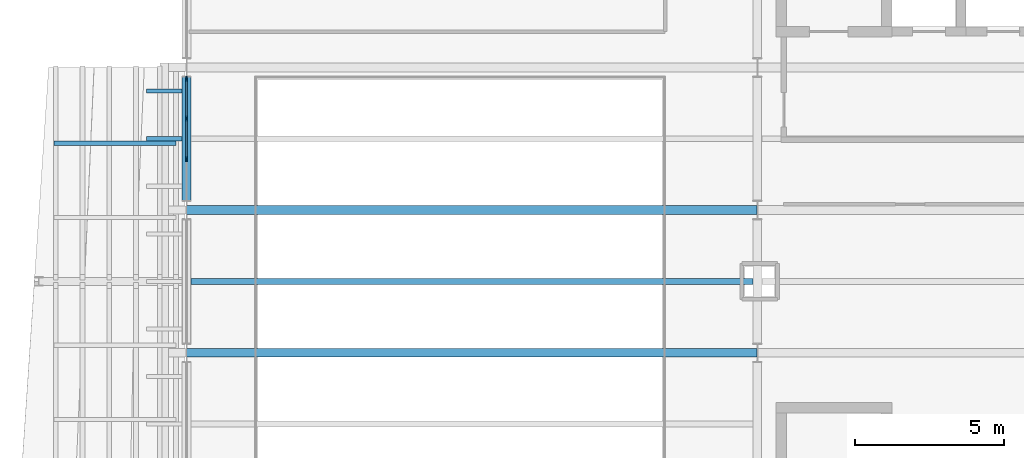
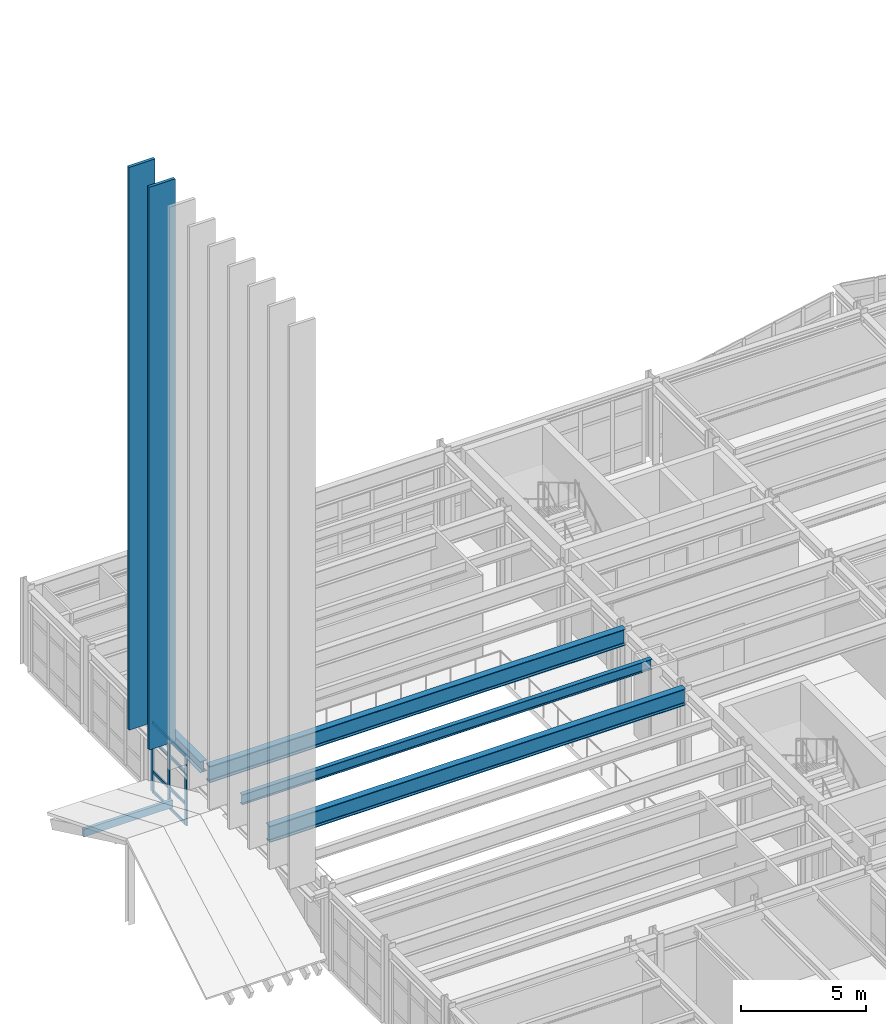
# One storey, part 43 of 99: 14 members, 4 beams, 1 element without a shape of its own.
"""IFC4 building model written with IfcOpenShell, lengths in metres."""

from ifc_helpers import new_model, si_unit, direction, frame, origin, origin_2d, place, context, subcontext, project, spatial, rectangle, i_section, extrude, material, layer, layer_set, material_profile, profile_set, type_object, element, aggregate, save


model = new_model("IFC4")

# Units and contexts
model_context = context("Model", 3, precision=1e-05, world=origin(), true_north=direction((0.0, 1.0)))
body_context = subcontext(model_context, "Body", "Model", "MODEL_VIEW")
ifc_project = project(units=[si_unit("LENGTHUNIT", "METRE"), si_unit("AREAUNIT", "SQUARE_METRE"), si_unit("VOLUMEUNIT", "CUBIC_METRE"), si_unit("PLANEANGLEUNIT", "RADIAN"), si_unit("MASSUNIT", "GRAM", prefix="KILO")], contexts=[model_context])

# Site, building, storey
site_placement = place(None, origin())
site = spatial("IfcSite", under=ifc_project, at=site_placement, CompositionType="ELEMENT")
building_placement = place(site_placement, origin())
building = spatial("IfcBuilding", under=site, at=building_placement, Name="Nordkorset Police Headquarters", CompositionType="ELEMENT")
storey_placement = place(building_placement, frame((0.0, 0.0, 5.25)))
storey = spatial("IfcBuildingStorey", under=building, at=storey_placement, Name="L01", CompositionType="ELEMENT", Elevation=5.25)

# Beam
ifc_material_1 = material(Name="Steel S355J2", Category="steel")
ifc_material_profile_1 = material_profile(ifc_material_1, i_section(OverallWidth=0.199951171875, OverallDepth=0.5, WebThickness=0.01025390625, FlangeThickness=0.01611328125, FilletRadius=0.02099609375, at=origin_2d()), Name="IPE 500")
ifc_profile_set_1 = profile_set([ifc_material_profile_1], Name="Steel S355J2")
beam_type_1 = type_object("IfcBeamType", Name="Beam_IPE_500", PredefinedType="BEAM", material=ifc_profile_set_1)
beam_1_placement = place(storey_placement, frame((0.14990234375, 100.0, 3.7099609375), z_axis=(1.0, 0.0, 0.0), x_axis=(0.0, 1.0, 0.0)))
element("IfcBeam", 1, at=beam_1_placement, inside=storey, type_object=beam_type_1, Name="Composite Floor Beam V1 L01 0-3-1", PredefinedType="BEAM", context=body_context, shape_type="SweptSolid", body=[
    extrude(i_section(OverallWidth=0.199951171875, OverallDepth=0.5, WebThickness=0.01025390625, FlangeThickness=0.01611328125, FilletRadius=0.02099609375, at=origin_2d()), origin(), (0.0, 0.0, 1.0), 18.900146484375),
])

# Curtain wall, members
ifc_material_2 = material(Name="Aluminium alloy AW-6060", Category="aluminium")
ifc_layer = layer(ifc_material_2, 0.179931640625, Name="Aluminium alloy AW-6060")
ifc_layer_set = layer_set([ifc_layer], Name="Aluminium alloy AW-6060")
curtain_wall_type = type_object("IfcCurtainWallType", Name="CW_Unit_408x340", PredefinedType="USERDEFINED", material=ifc_layer_set)
curtain_wall_placement = place(storey_placement, origin())
curtain_wall = element("IfcCurtainWall", 2, at=curtain_wall_placement, inside=storey, type_object=curtain_wall_type, Name="Unitised Curtain Wall L01 V1W-4", ObjectType="UNITISED CURTAIN WALL", PredefinedType="USERDEFINED")
ifc_material_3 = material(Name="Aluminium alloy AW-6060", Category="aluminium")
ifc_material_profile_2 = material_profile(ifc_material_3, rectangle(XDim=0.06494140625, YDim=0.179931640625, at=origin_2d()), Name="ALU MULL 65x180")
ifc_profile_set_2 = profile_set([ifc_material_profile_2], Name="Aluminium alloy AW-6060")
member_type_1 = type_object("IfcMemberType", Name="CW_Mullion_65x180", PredefinedType="MULLION", material=ifc_profile_set_2)
member_1_placement = place(storey_placement, frame((0.0, 104.1201171875, 0.0), z_axis=(0.0, 0.0, 1.0), x_axis=(-1.0, 0.0, 0.0)))
member_1 = element("IfcMember", 3, at=member_1_placement, type_object=member_type_1, Name="CW-75 mullion 2", PredefinedType="MULLION", context=body_context, shape_type="SweptSolid", body=[
    extrude(rectangle(XDim=0.06494140625, YDim=0.179931640625, at=origin_2d()), origin(), (0.0, 0.0, 1.0), 3.39990234375),
])
member_2_placement = place(storey_placement, frame((0.0, 105.47998046875, 0.0), z_axis=(0.0, 0.0, 1.0), x_axis=(-1.0, 0.0, 0.0)))
member_2 = element("IfcMember", 4, at=member_2_placement, type_object=member_type_1, Name="CW-75 mullion 3", PredefinedType="MULLION", context=body_context, shape_type="SweptSolid", body=[
    extrude(rectangle(XDim=0.06494140625, YDim=0.179931640625, at=origin_2d()), origin(), (0.0, 0.0, 1.0), 3.39990234375),
])
member_3_placement = place(storey_placement, frame((0.0, 106.8076171875, 0.0), z_axis=(0.0, 0.0, 1.0), x_axis=(-1.0, 0.0, 0.0)))
member_3 = element("IfcMember", 5, at=member_3_placement, type_object=member_type_1, Name="CW-75 mullion 4", PredefinedType="MULLION", context=body_context, shape_type="SweptSolid", body=[
    extrude(rectangle(XDim=0.06494140625, YDim=0.179931640625, at=origin_2d()), origin(), (0.0, 0.0, 1.0), 3.39990234375),
])
ifc_material_4 = material(Name="Aluminium alloy AW-6060", Category="aluminium")
ifc_material_profile_3 = material_profile(ifc_material_4, rectangle(XDim=0.06494140625, YDim=0.139892578125, at=origin_2d()), Name="ALU TRAN 65x140")
ifc_profile_set_3 = profile_set([ifc_material_profile_3], Name="Aluminium alloy AW-6060")
member_type_2 = type_object("IfcMemberType", Name="CW_Transom_65x140", PredefinedType="USERDEFINED", material=ifc_profile_set_3)
member_4_placement = place(storey_placement, frame((0.0, 104.152587890625, 0.032470703125), z_axis=(0.0, 1.0, 0.0), x_axis=(-1.0, 0.0, 0.0)))
member_4 = element("IfcMember", 6, at=member_4_placement, type_object=member_type_2, Name="CW-75 transom 2.1", ObjectType="TRANSOM", PredefinedType="USERDEFINED", context=body_context, shape_type="SweptSolid", body=[
    extrude(rectangle(XDim=0.06494140625, YDim=0.139892578125, at=origin_2d()), origin(), (0.0, 0.0, 1.0), 1.294921875),
])
member_5_placement = place(storey_placement, frame((0.0, 104.152587890625, 1.0), z_axis=(0.0, 1.0, 0.0), x_axis=(-1.0, 0.0, 0.0)))
member_5 = element("IfcMember", 7, at=member_5_placement, type_object=member_type_2, Name="CW-75 transom 2.2", ObjectType="TRANSOM", PredefinedType="USERDEFINED", context=body_context, shape_type="SweptSolid", body=[
    extrude(rectangle(XDim=0.06494140625, YDim=0.139892578125, at=origin_2d()), origin(), (0.0, 0.0, 1.0), 1.294921875),
])
member_6_placement = place(storey_placement, frame((0.0, 104.152587890625, 2.550048828125), z_axis=(0.0, 1.0, 0.0), x_axis=(-1.0, 0.0, 0.0)))
member_6 = element("IfcMember", 8, at=member_6_placement, type_object=member_type_2, Name="CW-75 transom 2.3", ObjectType="TRANSOM", PredefinedType="USERDEFINED", context=body_context, shape_type="SweptSolid", body=[
    extrude(rectangle(XDim=0.06494140625, YDim=0.139892578125, at=origin_2d()), origin(), (0.0, 0.0, 1.0), 1.294921875),
])
member_7_placement = place(storey_placement, frame((0.0, 104.152587890625, 3.367431640625), z_axis=(0.0, 1.0, 0.0), x_axis=(-1.0, 0.0, 0.0)))
member_7 = element("IfcMember", 9, at=member_7_placement, type_object=member_type_2, Name="CW-75 transom 2.4", ObjectType="TRANSOM", PredefinedType="USERDEFINED", context=body_context, shape_type="SweptSolid", body=[
    extrude(rectangle(XDim=0.06494140625, YDim=0.139892578125, at=origin_2d()), origin(), (0.0, 0.0, 1.0), 1.294921875),
])
member_8_placement = place(storey_placement, frame((0.0, 105.512451171875, 0.032470703125), z_axis=(0.0, 1.0, 0.0), x_axis=(-1.0, 0.0, 0.0)))
member_8 = element("IfcMember", 10, at=member_8_placement, type_object=member_type_2, Name="CW-75 transom 3.1", ObjectType="TRANSOM", PredefinedType="USERDEFINED", context=body_context, shape_type="SweptSolid", body=[
    extrude(rectangle(XDim=0.06494140625, YDim=0.139892578125, at=origin_2d()), origin(), (0.0, 0.0, 1.0), 1.262451171875),
])
member_9_placement = place(storey_placement, frame((0.0, 105.512451171875, 1.0), z_axis=(0.0, 1.0, 0.0), x_axis=(-1.0, 0.0, 0.0)))
member_9 = element("IfcMember", 11, at=member_9_placement, type_object=member_type_2, Name="CW-75 transom 3.2", ObjectType="TRANSOM", PredefinedType="USERDEFINED", context=body_context, shape_type="SweptSolid", body=[
    extrude(rectangle(XDim=0.06494140625, YDim=0.139892578125, at=origin_2d()), origin(), (0.0, 0.0, 1.0), 1.262451171875),
])
member_10_placement = place(storey_placement, frame((0.0, 105.512451171875, 2.550048828125), z_axis=(0.0, 1.0, 0.0), x_axis=(-1.0, 0.0, 0.0)))
member_10 = element("IfcMember", 12, at=member_10_placement, type_object=member_type_2, Name="CW-75 transom 3.3", ObjectType="TRANSOM", PredefinedType="USERDEFINED", context=body_context, shape_type="SweptSolid", body=[
    extrude(rectangle(XDim=0.06494140625, YDim=0.139892578125, at=origin_2d()), origin(), (0.0, 0.0, 1.0), 1.262451171875),
])
member_11_placement = place(storey_placement, frame((0.0, 105.512451171875, 3.367431640625), z_axis=(0.0, 1.0, 0.0), x_axis=(-1.0, 0.0, 0.0)))
member_11 = element("IfcMember", 13, at=member_11_placement, type_object=member_type_2, Name="CW-75 transom 3.4", ObjectType="TRANSOM", PredefinedType="USERDEFINED", context=body_context, shape_type="SweptSolid", body=[
    extrude(rectangle(XDim=0.06494140625, YDim=0.139892578125, at=origin_2d()), origin(), (0.0, 0.0, 1.0), 1.262451171875),
])
aggregate(curtain_wall, [member_1, member_2, member_3, member_4, member_5, member_6, member_7, member_8, member_9, member_10, member_11])

# Beams
ifc_material_5 = material(Name="Steel S355J2", Category="steel")
ifc_material_profile_4 = material_profile(ifc_material_5, i_section(OverallWidth=0.300048828125, OverallDepth=0.5400390625, WebThickness=0.012451171875, FlangeThickness=0.02392578125, FilletRadius=0.027099609375, at=origin_2d()), Name="HEA 550")
ifc_profile_set_4 = profile_set([ifc_material_profile_4], Name="Steel S355J2")
beam_type_2 = type_object("IfcBeamType", Name="Girder_HEA_550", PredefinedType="USERDEFINED", material=ifc_profile_set_4)
beam_2_placement = place(storey_placement, frame((0.0, 102.72509765625, 3.68994140625), z_axis=(0.0, 1.0, 0.0), x_axis=(-1.0, 0.0, 0.0)))
element("IfcBeam", 14, at=beam_2_placement, inside=storey, type_object=beam_type_2, Name="Girder V1 L01 GY-0-4", ObjectType="GIRDER", PredefinedType="USERDEFINED", context=body_context, shape_type="SweptSolid", body=[
    extrude(i_section(OverallWidth=0.300048828125, OverallDepth=0.5400390625, WebThickness=0.012451171875, FlangeThickness=0.02392578125, FilletRadius=0.027099609375, at=origin_2d()), origin(), (0.0, 0.0, 1.0), 4.14990234375),
])
ifc_material_6 = material(Name="Steel S355J2", Category="steel")
ifc_material_profile_5 = material_profile(ifc_material_6, i_section(OverallWidth=0.300048828125, OverallDepth=0.800048828125, WebThickness=0.017578125, FlangeThickness=0.032958984375, FilletRadius=0.030029296875, at=origin_2d()), Name="HEB 800")
ifc_profile_set_5 = profile_set([ifc_material_profile_5], Name="Steel S355J2")
beam_type_3 = type_object("IfcBeamType", Name="Girder_HEB_800", PredefinedType="USERDEFINED", material=ifc_profile_set_5)
for number, where, z_axis, x_axis, name in (
    (15, (0.008056640625, 97.60009765625, 3.56005859375), (1.0, 0.0, 0.0), (0.0, 1.0, 0.0), "Girder V1 L01 GX-3-0"),
    (16, (0.008056640625, 102.39990234375, 3.56005859375), (1.0, 0.0, 0.0), (0.0, 1.0, 0.0), "Girder V1 L01 GX-4-0"),
):
    element("IfcBeam", number, at=place(storey_placement, frame(where, z_axis=z_axis, x_axis=x_axis)), inside=storey, type_object=beam_type_3, Name=name, ObjectType="GIRDER", PredefinedType="USERDEFINED", context=body_context, shape_type="SweptSolid", body=[
        extrude(i_section(OverallWidth=0.300048828125, OverallDepth=0.800048828125, WebThickness=0.017578125, FlangeThickness=0.032958984375, FilletRadius=0.030029296875, at=origin_2d()), origin(), (0.0, 0.0, 1.0), 19.183837890625),
    ])

# Members
ifc_material_7 = material(Name="Glulam GL30c", Category="wood")
ifc_material_profile_6 = material_profile(ifc_material_7, rectangle(XDim=0.139892578125, YDim=1.199951171875, at=origin_2d()), Name="GL30C FIN 140x1200")
ifc_profile_set_6 = profile_set([ifc_material_profile_6], Name="Glulam GL30c")
member_type_3 = type_object("IfcMemberType", Name="Member_GlulamFin_140x1200", PredefinedType="USERDEFINED", material=ifc_profile_set_6)
for number, where, z_axis, x_axis, name in (
    (17, (-0.75, 104.800048828125, 3.735107421875), (0.0, 0.0, 1.0), (0.0, 1.0, 0.0), "Vertical Glulam Timber Fin West 014"),
    (18, (-0.75, 106.39990234375, 3.735107421875), (0.0, 0.0, 1.0), (0.0, 1.0, 0.0), "Vertical Glulam Timber Fin West 015"),
):
    element("IfcMember", number, at=place(storey_placement, frame(where, z_axis=z_axis, x_axis=x_axis)), inside=storey, type_object=member_type_3, Name=name, ObjectType="VERTICAL TIMBER FIN", PredefinedType="USERDEFINED", context=body_context, shape_type="SweptSolid", body=[
        extrude(rectangle(XDim=0.139892578125, YDim=1.199951171875, at=origin_2d()), origin(), (0.0, 0.0, 1.0), 27.4248046875),
    ])
ifc_material_8 = material(Name="Glulam GL30c", Category="wood")
ifc_material_profile_7 = material_profile(ifc_material_8, rectangle(XDim=0.139892578125, YDim=0.360107421875, at=origin_2d()), Name="GL30c 140x360")
ifc_profile_set_7 = profile_set([ifc_material_profile_7], Name="Glulam GL30c")
member_type_4 = type_object("IfcMemberType", Name="Purlin_GL30c_140x360", PredefinedType="PURLIN", material=ifc_profile_set_7)
member_12_placement = place(storey_placement, frame((-4.449951171875, 104.6474609375, 0.862548828125), z_axis=(1.0, 0.0, 0.0), x_axis=(0.0, 1.0, 0.0)))
element("IfcMember", 19, at=member_12_placement, inside=storey, type_object=member_type_4, Name="Entrance Canopy Glulam Soffit Purlin N-1", PredefinedType="PURLIN", context=body_context, shape_type="SweptSolid", body=[
    extrude(rectangle(XDim=0.139892578125, YDim=0.360107421875, at=origin_2d()), origin(), (0.0, 0.0, 1.0), 4.099853515625),
])

save(model, "model.ifc")
